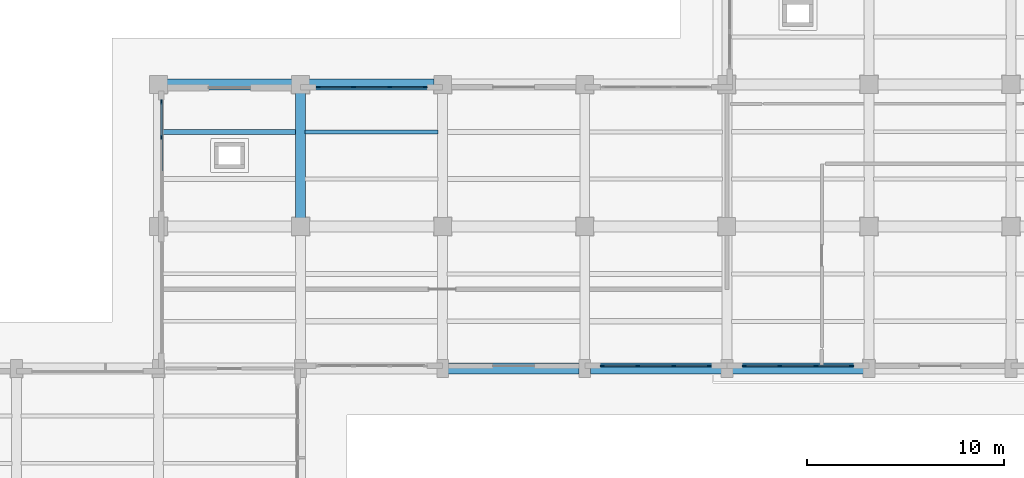
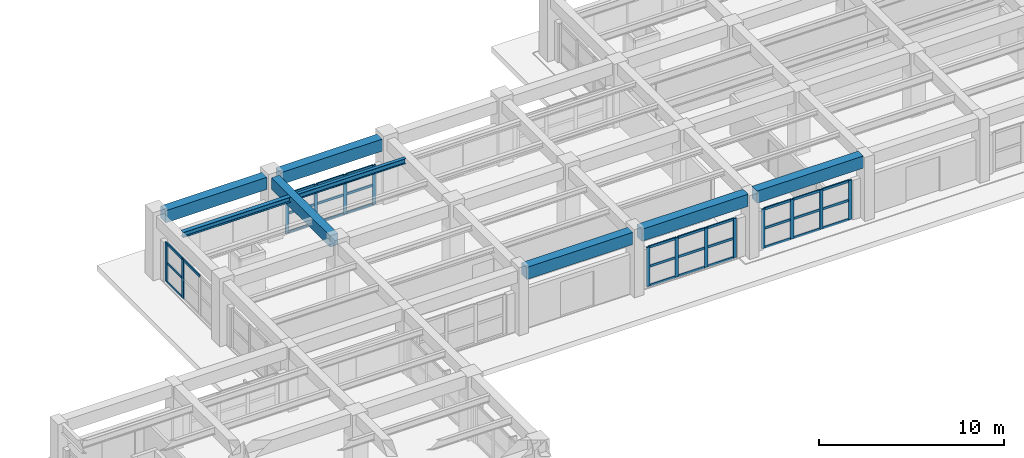
# One storey, part 21 of 64: 45 members, 8 beams, 4 elements without a shape of their own.
"""IFC4 building model written with IfcOpenShell, lengths in metres."""

from ifc_helpers import new_model, si_unit, direction, frame, origin, origin_2d, place, context, subcontext, project, spatial, rectangle, i_section, extrude, material, layer, layer_set, material_profile, profile_set, type_object, element, aggregate, save


model = new_model("IFC4")

# Units and contexts
model_context = context("Model", 3, precision=1e-05, world=origin(), true_north=direction((0.0, 1.0)))
body_context = subcontext(model_context, "Body", "Model", "MODEL_VIEW")
ifc_project = project(units=[si_unit("LENGTHUNIT", "METRE"), si_unit("AREAUNIT", "SQUARE_METRE"), si_unit("VOLUMEUNIT", "CUBIC_METRE"), si_unit("PLANEANGLEUNIT", "RADIAN"), si_unit("MASSUNIT", "GRAM", prefix="KILO")], contexts=[model_context])

# Site, building, storey
site_placement = place(None, origin())
site = spatial("IfcSite", under=ifc_project, at=site_placement, CompositionType="ELEMENT")
building_placement = place(site_placement, origin())
building = spatial("IfcBuilding", under=site, at=building_placement, Name="Solenvale Faculty of Natural Sciences", CompositionType="ELEMENT")
storey_placement = place(building_placement, origin())
storey = spatial("IfcBuildingStorey", under=building, at=storey_placement, Name="L00", CompositionType="ELEMENT", Elevation=0.0)

# Beams
ifc_material_1 = material(Name="Concrete 40 MPa", Category="concrete")
ifc_material_profile_1 = material_profile(ifc_material_1, rectangle(XDim=0.5, YDim=0.75, at=origin_2d()), Name="RC-BM-500x750")
ifc_profile_set_1 = profile_set([ifc_material_profile_1], Name="Concrete 40 MPa")
beam_type_1 = type_object("IfcBeamType", Name="BM-RC-500x750", PredefinedType="BEAM", material=ifc_profile_set_1)
beam_1_placement = place(storey_placement, frame((57.60009765625, 101.22998046875, 3.844970703125), z_axis=(0.0, 1.0, 0.0), x_axis=(-1.0, 0.0, 0.0)))
element("IfcBeam", 1, at=beam_1_placement, inside=storey, type_object=beam_type_1, Name="L00 Y-Girder X57.6 (100.8..108.0)", PredefinedType="BEAM", context=body_context, shape_type="SweptSolid", body=[
    extrude(rectangle(XDim=0.5, YDim=0.75, at=origin_2d()), origin(), (0.0, 0.0, 1.0), 6.340087890625),
])
ifc_material_profile_2 = material_profile(ifc_material_1, rectangle(XDim=0.550048828125, YDim=0.800048828125, at=origin_2d()), Name="RC-BM-550x800")
ifc_profile_set_2 = profile_set([ifc_material_profile_2], Name="Concrete 40 MPa")
beam_type_2 = type_object("IfcBeamType", Name="BM-RC-550x800", PredefinedType="BEAM", material=ifc_profile_set_2)
for number, where, z_axis, x_axis, name in (
    (2, (65.080078125, 93.60009765625, 3.820068359375), (1.0, 0.0, 0.0), (0.0, 1.0, 0.0), "L00 X-Girder Y93.6 (64.8..72.0)"),
    (3, (72.280029296875, 93.60009765625, 3.820068359375), (1.0, 0.0, 0.0), (0.0, 1.0, 0.0), "L00 X-Girder Y93.6 (72.0..79.2)"),
):
    element("IfcBeam", number, at=place(storey_placement, frame(where, z_axis=z_axis, x_axis=x_axis)), inside=storey, type_object=beam_type_2, Name=name, PredefinedType="BEAM", context=body_context, shape_type="SweptSolid", body=[
        extrude(rectangle(XDim=0.550048828125, YDim=0.800048828125, at=origin_2d()), origin(), (0.0, 0.0, 1.0), 6.639892578125),
    ])
beam_2_placement = place(storey_placement, frame((79.47998046875, 93.60009765625, 3.820068359375), z_axis=(1.0, 0.0, 0.0), x_axis=(0.0, 1.0, 0.0)))
element("IfcBeam", 4, at=beam_2_placement, inside=storey, type_object=beam_type_2, Name="L00 X-Girder Y93.6 (79.2..86.4)", PredefinedType="BEAM", context=body_context, shape_type="SweptSolid", body=[
    extrude(rectangle(XDim=0.550048828125, YDim=0.800048828125, at=origin_2d()), origin(), (0.0, 0.0, 1.0), 6.64013671875),
])
beam_3_placement = place(storey_placement, frame((50.830078125, 108.0, 3.820068359375), z_axis=(1.0, 0.0, 0.0), x_axis=(0.0, 1.0, 0.0)))
element("IfcBeam", 5, at=beam_3_placement, inside=storey, type_object=beam_type_2, Name="L00 X-Girder Y108.0 (50.4..57.6)", PredefinedType="BEAM", context=body_context, shape_type="SweptSolid", body=[
    extrude(rectangle(XDim=0.550048828125, YDim=0.800048828125, at=origin_2d()), origin(), (0.0, 0.0, 1.0), 6.33984375),
])
beam_4_placement = place(storey_placement, frame((58.030029296875, 108.0, 3.820068359375), z_axis=(1.0, 0.0, 0.0), x_axis=(0.0, 1.0, 0.0)))
element("IfcBeam", 6, at=beam_4_placement, inside=storey, type_object=beam_type_2, Name="L00 X-Girder Y108.0 (57.6..64.8)", PredefinedType="BEAM", context=body_context, shape_type="SweptSolid", body=[
    extrude(rectangle(XDim=0.550048828125, YDim=0.800048828125, at=origin_2d()), origin(), (0.0, 0.0, 1.0), 6.340087890625),
])
ifc_material_2 = material(Name="Steel S355", Category="steel")
ifc_material_profile_3 = material_profile(ifc_material_2, i_section(OverallWidth=0.2548828125, OverallDepth=0.35693359375, WebThickness=0.010498046875, FlangeThickness=0.018310546875, FilletRadius=0.014892578125, at=origin_2d()), Name="W360x101")
ifc_profile_set_3 = profile_set([ifc_material_profile_3], Name="Steel S355")
beam_type_3 = type_object("IfcBeamType", Name="BM-STL-W360x101", PredefinedType="JOIST", material=ifc_profile_set_3)
beam_5_placement = place(storey_placement, frame((50.6298828125, 105.60009765625, 4.04150390625), z_axis=(1.0, 0.0, 0.0), x_axis=(0.0, 1.0, 0.0)))
element("IfcBeam", 7, at=beam_5_placement, inside=storey, type_object=beam_type_3, Name="L00 Composite Floor Joist (8,15).2", PredefinedType="JOIST", context=body_context, shape_type="SweptSolid", body=[
    extrude(i_section(OverallWidth=0.2548828125, OverallDepth=0.35693359375, WebThickness=0.010498046875, FlangeThickness=0.018310546875, FilletRadius=0.014892578125, at=origin_2d()), origin(), (0.0, 0.0, 1.0), 6.740234375),
])
ifc_material_profile_4 = material_profile(ifc_material_2, i_section(OverallWidth=0.2041015625, OverallDepth=0.35009765625, WebThickness=0.008544921875, FlangeThickness=0.01513671875, FilletRadius=0.014892578125, at=origin_2d()), Name="W360x72")
ifc_profile_set_4 = profile_set([ifc_material_profile_4], Name="Steel S355")
beam_type_4 = type_object("IfcBeamType", Name="BM-STL-W360x72", PredefinedType="JOIST", material=ifc_profile_set_4)
beam_6_placement = place(storey_placement, frame((57.830078125, 105.60009765625, 4.044921875), z_axis=(1.0, 0.0, 0.0), x_axis=(0.0, 1.0, 0.0)))
element("IfcBeam", 8, at=beam_6_placement, inside=storey, type_object=beam_type_4, Name="L00 Composite Floor Joist (9,15).2", PredefinedType="JOIST", context=body_context, shape_type="SweptSolid", body=[
    extrude(i_section(OverallWidth=0.2041015625, OverallDepth=0.35009765625, WebThickness=0.008544921875, FlangeThickness=0.01513671875, FilletRadius=0.014892578125, at=origin_2d()), origin(), (0.0, 0.0, 1.0), 6.739990234375),
])

# Curtain wall, members
ifc_material_3 = material(Name="Anodised bronze aluminium", Category="aluminium")
ifc_layer = layer(ifc_material_3, 0.179931640625)
ifc_layer_set = layer_set([ifc_layer], Name="Anodised bronze aluminium")
curtain_wall_type = type_object("IfcCurtainWallType", Name="CW-TWR-MOD", PredefinedType="USERDEFINED", material=ifc_layer_set)
curtain_wall_1_placement = place(storey_placement, origin())
curtain_wall_1 = element("IfcCurtainWall", 9, at=curtain_wall_1_placement, inside=storey, type_object=curtain_wall_type, Name="L00 Curtain Wall CW-L00-P1-E11-B3", ObjectType="UNITISED CURTAIN WALL", PredefinedType="USERDEFINED")
ifc_material_profile_5 = material_profile(ifc_material_3, rectangle(XDim=0.074951171875, YDim=0.2099609375, at=origin_2d()), Name="ALU-MUL-75x210")
ifc_profile_set_5 = profile_set([ifc_material_profile_5], Name="Anodised bronze aluminium")
member_type_1 = type_object("IfcMemberType", Name="CWM-ALU-75x210", PredefinedType="MULLION", material=ifc_profile_set_5)
member_1_placement = place(storey_placement, frame((72.887451171875, 93.742431640625, 0.0), z_axis=(0.0, 0.0, 1.0), x_axis=(0.0, 1.0, 0.0)))
member_1 = element("IfcMember", 10, at=member_1_placement, type_object=member_type_1, Name="CW-04 mullion 1", PredefinedType="MULLION", context=body_context, shape_type="SweptSolid", body=[
    extrude(rectangle(XDim=0.074951171875, YDim=0.2099609375, at=origin_2d()), origin(), (0.0, 0.0, 1.0), 2.60009765625),
])
member_2_placement = place(storey_placement, frame((74.683349609375, 93.742431640625, 0.0), z_axis=(0.0, 0.0, 1.0), x_axis=(0.0, 1.0, 0.0)))
member_2 = element("IfcMember", 11, at=member_2_placement, type_object=member_type_1, Name="CW-04 mullion 2", PredefinedType="MULLION", context=body_context, shape_type="SweptSolid", body=[
    extrude(rectangle(XDim=0.074951171875, YDim=0.2099609375, at=origin_2d()), origin(), (0.0, 0.0, 1.0), 2.60009765625),
])
member_3_placement = place(storey_placement, frame((76.5166015625, 93.742431640625, 0.0), z_axis=(0.0, 0.0, 1.0), x_axis=(0.0, 1.0, 0.0)))
member_3 = element("IfcMember", 12, at=member_3_placement, type_object=member_type_1, Name="CW-04 mullion 3", PredefinedType="MULLION", context=body_context, shape_type="SweptSolid", body=[
    extrude(rectangle(XDim=0.074951171875, YDim=0.2099609375, at=origin_2d()), origin(), (0.0, 0.0, 1.0), 2.60009765625),
])
member_4_placement = place(storey_placement, frame((78.3125, 93.742431640625, 0.0), z_axis=(0.0, 0.0, 1.0), x_axis=(0.0, 1.0, 0.0)))
member_4 = element("IfcMember", 13, at=member_4_placement, type_object=member_type_1, Name="CW-04 mullion 4", PredefinedType="MULLION", context=body_context, shape_type="SweptSolid", body=[
    extrude(rectangle(XDim=0.074951171875, YDim=0.2099609375, at=origin_2d()), origin(), (0.0, 0.0, 1.0), 2.60009765625),
])

curtain_wall_2_placement = place(storey_placement, origin())
curtain_wall_2 = element("IfcCurtainWall", 14, at=curtain_wall_2_placement, inside=storey, type_object=curtain_wall_type, Name="L00 Curtain Wall CW-L00-P1-E12-B1", ObjectType="UNITISED CURTAIN WALL", PredefinedType="USERDEFINED")
member_5_placement = place(storey_placement, frame((80.08740234375, 93.742431640625, 0.0), z_axis=(0.0, 0.0, 1.0), x_axis=(0.0, 1.0, 0.0)))
member_5 = element("IfcMember", 15, at=member_5_placement, type_object=member_type_1, Name="CW-04 mullion 1", PredefinedType="MULLION", context=body_context, shape_type="SweptSolid", body=[
    extrude(rectangle(XDim=0.074951171875, YDim=0.2099609375, at=origin_2d()), origin(), (0.0, 0.0, 1.0), 2.60009765625),
])
member_6_placement = place(storey_placement, frame((81.88330078125, 93.742431640625, 0.0), z_axis=(0.0, 0.0, 1.0), x_axis=(0.0, 1.0, 0.0)))
member_6 = element("IfcMember", 16, at=member_6_placement, type_object=member_type_1, Name="CW-04 mullion 2", PredefinedType="MULLION", context=body_context, shape_type="SweptSolid", body=[
    extrude(rectangle(XDim=0.074951171875, YDim=0.2099609375, at=origin_2d()), origin(), (0.0, 0.0, 1.0), 2.60009765625),
])
member_7_placement = place(storey_placement, frame((83.716552734375, 93.742431640625, 0.0), z_axis=(0.0, 0.0, 1.0), x_axis=(0.0, 1.0, 0.0)))
member_7 = element("IfcMember", 17, at=member_7_placement, type_object=member_type_1, Name="CW-04 mullion 3", PredefinedType="MULLION", context=body_context, shape_type="SweptSolid", body=[
    extrude(rectangle(XDim=0.074951171875, YDim=0.2099609375, at=origin_2d()), origin(), (0.0, 0.0, 1.0), 2.60009765625),
])
member_8_placement = place(storey_placement, frame((85.512451171875, 93.742431640625, 0.0), z_axis=(0.0, 0.0, 1.0), x_axis=(0.0, 1.0, 0.0)))
member_8 = element("IfcMember", 18, at=member_8_placement, type_object=member_type_1, Name="CW-04 mullion 4", PredefinedType="MULLION", context=body_context, shape_type="SweptSolid", body=[
    extrude(rectangle(XDim=0.074951171875, YDim=0.2099609375, at=origin_2d()), origin(), (0.0, 0.0, 1.0), 2.60009765625),
])

curtain_wall_3_placement = place(storey_placement, origin())
curtain_wall_3 = element("IfcCurtainWall", 19, at=curtain_wall_3_placement, inside=storey, type_object=curtain_wall_type, Name="L00 Curtain Wall CW-L00-P1-E19-B3", ObjectType="UNITISED CURTAIN WALL", PredefinedType="USERDEFINED")
member_9_placement = place(storey_placement, frame((63.91259765625, 107.857421875, 0.0), z_axis=(0.0, 0.0, 1.0), x_axis=(0.0, -1.0, 0.0)))
member_9 = element("IfcMember", 20, at=member_9_placement, type_object=member_type_1, Name="CW-04 mullion 1", PredefinedType="MULLION", context=body_context, shape_type="SweptSolid", body=[
    extrude(rectangle(XDim=0.074951171875, YDim=0.2099609375, at=origin_2d()), origin(), (0.0, 0.0, 1.0), 2.60009765625),
])
member_10_placement = place(storey_placement, frame((62.11669921875, 107.857421875, 0.0), z_axis=(0.0, 0.0, 1.0), x_axis=(0.0, -1.0, 0.0)))
member_10 = element("IfcMember", 21, at=member_10_placement, type_object=member_type_1, Name="CW-04 mullion 2", PredefinedType="MULLION", context=body_context, shape_type="SweptSolid", body=[
    extrude(rectangle(XDim=0.074951171875, YDim=0.2099609375, at=origin_2d()), origin(), (0.0, 0.0, 1.0), 2.60009765625),
])
member_11_placement = place(storey_placement, frame((60.283447265625, 107.857421875, 0.0), z_axis=(0.0, 0.0, 1.0), x_axis=(0.0, -1.0, 0.0)))
member_11 = element("IfcMember", 22, at=member_11_placement, type_object=member_type_1, Name="CW-04 mullion 3", PredefinedType="MULLION", context=body_context, shape_type="SweptSolid", body=[
    extrude(rectangle(XDim=0.074951171875, YDim=0.2099609375, at=origin_2d()), origin(), (0.0, 0.0, 1.0), 2.60009765625),
])
member_12_placement = place(storey_placement, frame((58.487548828125, 107.857421875, 0.0), z_axis=(0.0, 0.0, 1.0), x_axis=(0.0, -1.0, 0.0)))
member_12 = element("IfcMember", 23, at=member_12_placement, type_object=member_type_1, Name="CW-04 mullion 4", PredefinedType="MULLION", context=body_context, shape_type="SweptSolid", body=[
    extrude(rectangle(XDim=0.074951171875, YDim=0.2099609375, at=origin_2d()), origin(), (0.0, 0.0, 1.0), 2.60009765625),
])

curtain_wall_4_placement = place(storey_placement, origin())
curtain_wall_4 = element("IfcCurtainWall", 24, at=curtain_wall_4_placement, inside=storey, type_object=curtain_wall_type, Name="L00 Curtain Wall CW-L00-P1-E20-B1", ObjectType="UNITISED CURTAIN WALL", PredefinedType="USERDEFINED")
member_13_placement = place(storey_placement, frame((50.54248046875, 107.112548828125, 0.0), z_axis=(0.0, 0.0, 1.0), x_axis=(1.0, 0.0, 0.0)))
member_13 = element("IfcMember", 25, at=member_13_placement, type_object=member_type_1, Name="CW-04 mullion 1", PredefinedType="MULLION", context=body_context, shape_type="SweptSolid", body=[
    extrude(rectangle(XDim=0.074951171875, YDim=0.2099609375, at=origin_2d()), origin(), (0.0, 0.0, 1.0), 2.60009765625),
])
member_14_placement = place(storey_placement, frame((50.54248046875, 105.316650390625, 0.0), z_axis=(0.0, 0.0, 1.0), x_axis=(1.0, 0.0, 0.0)))
member_14 = element("IfcMember", 26, at=member_14_placement, type_object=member_type_1, Name="CW-04 mullion 2", PredefinedType="MULLION", context=body_context, shape_type="SweptSolid", body=[
    extrude(rectangle(XDim=0.074951171875, YDim=0.2099609375, at=origin_2d()), origin(), (0.0, 0.0, 1.0), 2.60009765625),
])

# Member
ifc_material_profile_6 = material_profile(ifc_material_3, rectangle(XDim=0.074951171875, YDim=0.155029296875, at=origin_2d()), Name="ALU-TRN-75x155")
ifc_profile_set_6 = profile_set([ifc_material_profile_6], Name="Anodised bronze aluminium")
member_type_2 = type_object("IfcMemberType", Name="CWT-ALU-75x155", PredefinedType="USERDEFINED", material=ifc_profile_set_6)
member_15_placement = place(storey_placement, frame((72.925048828125, 93.742431640625, 0.03759765625), z_axis=(1.0, 0.0, 0.0), x_axis=(0.0, 1.0, 0.0)))
member_15 = element("IfcMember", 27, at=member_15_placement, type_object=member_type_2, Name="CW-04 transom 1.1", ObjectType="TRANSOM", PredefinedType="USERDEFINED", context=body_context, shape_type="SweptSolid", body=[
    extrude(rectangle(XDim=0.074951171875, YDim=0.155029296875, at=origin_2d()), origin(), (0.0, 0.0, 1.0), 1.720703125),
])

member_16_placement = place(storey_placement, frame((72.925048828125, 93.742431640625, 1.300048828125), z_axis=(1.0, 0.0, 0.0), x_axis=(0.0, 1.0, 0.0)))
member_16 = element("IfcMember", 28, at=member_16_placement, type_object=member_type_2, Name="CW-04 transom 1.2", ObjectType="TRANSOM", PredefinedType="USERDEFINED", context=body_context, shape_type="SweptSolid", body=[
    extrude(rectangle(XDim=0.074951171875, YDim=0.155029296875, at=origin_2d()), origin(), (0.0, 0.0, 1.0), 1.720703125),
])

member_17_placement = place(storey_placement, frame((72.925048828125, 93.742431640625, 2.5625), z_axis=(1.0, 0.0, 0.0), x_axis=(0.0, 1.0, 0.0)))
member_17 = element("IfcMember", 29, at=member_17_placement, type_object=member_type_2, Name="CW-04 transom 1.3", ObjectType="TRANSOM", PredefinedType="USERDEFINED", context=body_context, shape_type="SweptSolid", body=[
    extrude(rectangle(XDim=0.074951171875, YDim=0.155029296875, at=origin_2d()), origin(), (0.0, 0.0, 1.0), 1.720703125),
])

member_18_placement = place(storey_placement, frame((74.720947265625, 93.742431640625, 0.03759765625), z_axis=(1.0, 0.0, 0.0), x_axis=(0.0, 1.0, 0.0)))
member_18 = element("IfcMember", 30, at=member_18_placement, type_object=member_type_2, Name="CW-04 transom 2.1", ObjectType="TRANSOM", PredefinedType="USERDEFINED", context=body_context, shape_type="SweptSolid", body=[
    extrude(rectangle(XDim=0.074951171875, YDim=0.155029296875, at=origin_2d()), origin(), (0.0, 0.0, 1.0), 1.75830078125),
])

member_19_placement = place(storey_placement, frame((74.720947265625, 93.742431640625, 1.300048828125), z_axis=(1.0, 0.0, 0.0), x_axis=(0.0, 1.0, 0.0)))
member_19 = element("IfcMember", 31, at=member_19_placement, type_object=member_type_2, Name="CW-04 transom 2.2", ObjectType="TRANSOM", PredefinedType="USERDEFINED", context=body_context, shape_type="SweptSolid", body=[
    extrude(rectangle(XDim=0.074951171875, YDim=0.155029296875, at=origin_2d()), origin(), (0.0, 0.0, 1.0), 1.75830078125),
])

member_20_placement = place(storey_placement, frame((74.720947265625, 93.742431640625, 2.5625), z_axis=(1.0, 0.0, 0.0), x_axis=(0.0, 1.0, 0.0)))
member_20 = element("IfcMember", 32, at=member_20_placement, type_object=member_type_2, Name="CW-04 transom 2.3", ObjectType="TRANSOM", PredefinedType="USERDEFINED", context=body_context, shape_type="SweptSolid", body=[
    extrude(rectangle(XDim=0.074951171875, YDim=0.155029296875, at=origin_2d()), origin(), (0.0, 0.0, 1.0), 1.75830078125),
])

member_21_placement = place(storey_placement, frame((76.55419921875, 93.742431640625, 0.03759765625), z_axis=(1.0, 0.0, 0.0), x_axis=(0.0, 1.0, 0.0)))
member_21 = element("IfcMember", 33, at=member_21_placement, type_object=member_type_2, Name="CW-04 transom 3.1", ObjectType="TRANSOM", PredefinedType="USERDEFINED", context=body_context, shape_type="SweptSolid", body=[
    extrude(rectangle(XDim=0.074951171875, YDim=0.155029296875, at=origin_2d()), origin(), (0.0, 0.0, 1.0), 1.720703125),
])

member_22_placement = place(storey_placement, frame((76.55419921875, 93.742431640625, 1.300048828125), z_axis=(1.0, 0.0, 0.0), x_axis=(0.0, 1.0, 0.0)))
member_22 = element("IfcMember", 34, at=member_22_placement, type_object=member_type_2, Name="CW-04 transom 3.2", ObjectType="TRANSOM", PredefinedType="USERDEFINED", context=body_context, shape_type="SweptSolid", body=[
    extrude(rectangle(XDim=0.074951171875, YDim=0.155029296875, at=origin_2d()), origin(), (0.0, 0.0, 1.0), 1.720703125),
])

member_23_placement = place(storey_placement, frame((76.55419921875, 93.742431640625, 2.5625), z_axis=(1.0, 0.0, 0.0), x_axis=(0.0, 1.0, 0.0)))
member_23 = element("IfcMember", 35, at=member_23_placement, type_object=member_type_2, Name="CW-04 transom 3.3", ObjectType="TRANSOM", PredefinedType="USERDEFINED", context=body_context, shape_type="SweptSolid", body=[
    extrude(rectangle(XDim=0.074951171875, YDim=0.155029296875, at=origin_2d()), origin(), (0.0, 0.0, 1.0), 1.720703125),
])

aggregate(curtain_wall_1, [member_1, member_2, member_3, member_4, member_15, member_16, member_17, member_18, member_19, member_20, member_21, member_22, member_23])

member_24_placement = place(storey_placement, frame((80.125, 93.742431640625, 0.03759765625), z_axis=(1.0, 0.0, 0.0), x_axis=(0.0, 1.0, 0.0)))
member_24 = element("IfcMember", 36, at=member_24_placement, type_object=member_type_2, Name="CW-04 transom 1.1", ObjectType="TRANSOM", PredefinedType="USERDEFINED", context=body_context, shape_type="SweptSolid", body=[
    extrude(rectangle(XDim=0.074951171875, YDim=0.155029296875, at=origin_2d()), origin(), (0.0, 0.0, 1.0), 1.720947265625),
])

member_25_placement = place(storey_placement, frame((80.125, 93.742431640625, 1.300048828125), z_axis=(1.0, 0.0, 0.0), x_axis=(0.0, 1.0, 0.0)))
member_25 = element("IfcMember", 37, at=member_25_placement, type_object=member_type_2, Name="CW-04 transom 1.2", ObjectType="TRANSOM", PredefinedType="USERDEFINED", context=body_context, shape_type="SweptSolid", body=[
    extrude(rectangle(XDim=0.074951171875, YDim=0.155029296875, at=origin_2d()), origin(), (0.0, 0.0, 1.0), 1.720947265625),
])

member_26_placement = place(storey_placement, frame((80.125, 93.742431640625, 2.5625), z_axis=(1.0, 0.0, 0.0), x_axis=(0.0, 1.0, 0.0)))
member_26 = element("IfcMember", 38, at=member_26_placement, type_object=member_type_2, Name="CW-04 transom 1.3", ObjectType="TRANSOM", PredefinedType="USERDEFINED", context=body_context, shape_type="SweptSolid", body=[
    extrude(rectangle(XDim=0.074951171875, YDim=0.155029296875, at=origin_2d()), origin(), (0.0, 0.0, 1.0), 1.720947265625),
])

member_27_placement = place(storey_placement, frame((81.9208984375, 93.742431640625, 0.03759765625), z_axis=(1.0, 0.0, 0.0), x_axis=(0.0, 1.0, 0.0)))
member_27 = element("IfcMember", 39, at=member_27_placement, type_object=member_type_2, Name="CW-04 transom 2.1", ObjectType="TRANSOM", PredefinedType="USERDEFINED", context=body_context, shape_type="SweptSolid", body=[
    extrude(rectangle(XDim=0.074951171875, YDim=0.155029296875, at=origin_2d()), origin(), (0.0, 0.0, 1.0), 1.75830078125),
])

member_28_placement = place(storey_placement, frame((81.9208984375, 93.742431640625, 1.300048828125), z_axis=(1.0, 0.0, 0.0), x_axis=(0.0, 1.0, 0.0)))
member_28 = element("IfcMember", 40, at=member_28_placement, type_object=member_type_2, Name="CW-04 transom 2.2", ObjectType="TRANSOM", PredefinedType="USERDEFINED", context=body_context, shape_type="SweptSolid", body=[
    extrude(rectangle(XDim=0.074951171875, YDim=0.155029296875, at=origin_2d()), origin(), (0.0, 0.0, 1.0), 1.75830078125),
])

member_29_placement = place(storey_placement, frame((81.9208984375, 93.742431640625, 2.5625), z_axis=(1.0, 0.0, 0.0), x_axis=(0.0, 1.0, 0.0)))
member_29 = element("IfcMember", 41, at=member_29_placement, type_object=member_type_2, Name="CW-04 transom 2.3", ObjectType="TRANSOM", PredefinedType="USERDEFINED", context=body_context, shape_type="SweptSolid", body=[
    extrude(rectangle(XDim=0.074951171875, YDim=0.155029296875, at=origin_2d()), origin(), (0.0, 0.0, 1.0), 1.75830078125),
])

member_30_placement = place(storey_placement, frame((83.754150390625, 93.742431640625, 0.03759765625), z_axis=(1.0, 0.0, 0.0), x_axis=(0.0, 1.0, 0.0)))
member_30 = element("IfcMember", 42, at=member_30_placement, type_object=member_type_2, Name="CW-04 transom 3.1", ObjectType="TRANSOM", PredefinedType="USERDEFINED", context=body_context, shape_type="SweptSolid", body=[
    extrude(rectangle(XDim=0.074951171875, YDim=0.155029296875, at=origin_2d()), origin(), (0.0, 0.0, 1.0), 1.720947265625),
])

member_31_placement = place(storey_placement, frame((83.754150390625, 93.742431640625, 1.300048828125), z_axis=(1.0, 0.0, 0.0), x_axis=(0.0, 1.0, 0.0)))
member_31 = element("IfcMember", 43, at=member_31_placement, type_object=member_type_2, Name="CW-04 transom 3.2", ObjectType="TRANSOM", PredefinedType="USERDEFINED", context=body_context, shape_type="SweptSolid", body=[
    extrude(rectangle(XDim=0.074951171875, YDim=0.155029296875, at=origin_2d()), origin(), (0.0, 0.0, 1.0), 1.720947265625),
])

member_32_placement = place(storey_placement, frame((83.754150390625, 93.742431640625, 2.5625), z_axis=(1.0, 0.0, 0.0), x_axis=(0.0, 1.0, 0.0)))
member_32 = element("IfcMember", 44, at=member_32_placement, type_object=member_type_2, Name="CW-04 transom 3.3", ObjectType="TRANSOM", PredefinedType="USERDEFINED", context=body_context, shape_type="SweptSolid", body=[
    extrude(rectangle(XDim=0.074951171875, YDim=0.155029296875, at=origin_2d()), origin(), (0.0, 0.0, 1.0), 1.720947265625),
])

aggregate(curtain_wall_2, [member_5, member_6, member_7, member_8, member_24, member_25, member_26, member_27, member_28, member_29, member_30, member_31, member_32])

member_33_placement = place(storey_placement, frame((63.875, 107.857421875, 0.03759765625), z_axis=(-1.0, 0.0, 0.0), x_axis=(0.0, -1.0, 0.0)))
member_33 = element("IfcMember", 45, at=member_33_placement, type_object=member_type_2, Name="CW-04 transom 1.1", ObjectType="TRANSOM", PredefinedType="USERDEFINED", context=body_context, shape_type="SweptSolid", body=[
    extrude(rectangle(XDim=0.074951171875, YDim=0.155029296875, at=origin_2d()), origin(), (0.0, 0.0, 1.0), 1.720947265625),
])

member_34_placement = place(storey_placement, frame((63.875, 107.857421875, 1.300048828125), z_axis=(-1.0, 0.0, 0.0), x_axis=(0.0, -1.0, 0.0)))
member_34 = element("IfcMember", 46, at=member_34_placement, type_object=member_type_2, Name="CW-04 transom 1.2", ObjectType="TRANSOM", PredefinedType="USERDEFINED", context=body_context, shape_type="SweptSolid", body=[
    extrude(rectangle(XDim=0.074951171875, YDim=0.155029296875, at=origin_2d()), origin(), (0.0, 0.0, 1.0), 1.720947265625),
])

member_35_placement = place(storey_placement, frame((63.875, 107.857421875, 2.5625), z_axis=(-1.0, 0.0, 0.0), x_axis=(0.0, -1.0, 0.0)))
member_35 = element("IfcMember", 47, at=member_35_placement, type_object=member_type_2, Name="CW-04 transom 1.3", ObjectType="TRANSOM", PredefinedType="USERDEFINED", context=body_context, shape_type="SweptSolid", body=[
    extrude(rectangle(XDim=0.074951171875, YDim=0.155029296875, at=origin_2d()), origin(), (0.0, 0.0, 1.0), 1.720947265625),
])

member_36_placement = place(storey_placement, frame((62.0791015625, 107.857421875, 0.03759765625), z_axis=(-1.0, 0.0, 0.0), x_axis=(0.0, -1.0, 0.0)))
member_36 = element("IfcMember", 48, at=member_36_placement, type_object=member_type_2, Name="CW-04 transom 2.1", ObjectType="TRANSOM", PredefinedType="USERDEFINED", context=body_context, shape_type="SweptSolid", body=[
    extrude(rectangle(XDim=0.074951171875, YDim=0.155029296875, at=origin_2d()), origin(), (0.0, 0.0, 1.0), 1.75830078125),
])

member_37_placement = place(storey_placement, frame((62.0791015625, 107.857421875, 1.300048828125), z_axis=(-1.0, 0.0, 0.0), x_axis=(0.0, -1.0, 0.0)))
member_37 = element("IfcMember", 49, at=member_37_placement, type_object=member_type_2, Name="CW-04 transom 2.2", ObjectType="TRANSOM", PredefinedType="USERDEFINED", context=body_context, shape_type="SweptSolid", body=[
    extrude(rectangle(XDim=0.074951171875, YDim=0.155029296875, at=origin_2d()), origin(), (0.0, 0.0, 1.0), 1.75830078125),
])

member_38_placement = place(storey_placement, frame((62.0791015625, 107.857421875, 2.5625), z_axis=(-1.0, 0.0, 0.0), x_axis=(0.0, -1.0, 0.0)))
member_38 = element("IfcMember", 50, at=member_38_placement, type_object=member_type_2, Name="CW-04 transom 2.3", ObjectType="TRANSOM", PredefinedType="USERDEFINED", context=body_context, shape_type="SweptSolid", body=[
    extrude(rectangle(XDim=0.074951171875, YDim=0.155029296875, at=origin_2d()), origin(), (0.0, 0.0, 1.0), 1.75830078125),
])

member_39_placement = place(storey_placement, frame((60.245849609375, 107.857421875, 0.03759765625), z_axis=(-1.0, 0.0, 0.0), x_axis=(0.0, -1.0, 0.0)))
member_39 = element("IfcMember", 51, at=member_39_placement, type_object=member_type_2, Name="CW-04 transom 3.1", ObjectType="TRANSOM", PredefinedType="USERDEFINED", context=body_context, shape_type="SweptSolid", body=[
    extrude(rectangle(XDim=0.074951171875, YDim=0.155029296875, at=origin_2d()), origin(), (0.0, 0.0, 1.0), 1.720947265625),
])

member_40_placement = place(storey_placement, frame((60.245849609375, 107.857421875, 1.300048828125), z_axis=(-1.0, 0.0, 0.0), x_axis=(0.0, -1.0, 0.0)))
member_40 = element("IfcMember", 52, at=member_40_placement, type_object=member_type_2, Name="CW-04 transom 3.2", ObjectType="TRANSOM", PredefinedType="USERDEFINED", context=body_context, shape_type="SweptSolid", body=[
    extrude(rectangle(XDim=0.074951171875, YDim=0.155029296875, at=origin_2d()), origin(), (0.0, 0.0, 1.0), 1.720947265625),
])

member_41_placement = place(storey_placement, frame((60.245849609375, 107.857421875, 2.5625), z_axis=(-1.0, 0.0, 0.0), x_axis=(0.0, -1.0, 0.0)))
member_41 = element("IfcMember", 53, at=member_41_placement, type_object=member_type_2, Name="CW-04 transom 3.3", ObjectType="TRANSOM", PredefinedType="USERDEFINED", context=body_context, shape_type="SweptSolid", body=[
    extrude(rectangle(XDim=0.074951171875, YDim=0.155029296875, at=origin_2d()), origin(), (0.0, 0.0, 1.0), 1.720947265625),
])

aggregate(curtain_wall_3, [member_9, member_10, member_11, member_12, member_33, member_34, member_35, member_36, member_37, member_38, member_39, member_40, member_41])

member_42_placement = place(storey_placement, frame((50.54248046875, 107.074951171875, 0.03759765625), z_axis=(0.0, -1.0, 0.0), x_axis=(1.0, 0.0, 0.0)))
member_42 = element("IfcMember", 54, at=member_42_placement, type_object=member_type_2, Name="CW-04 transom 1.1", ObjectType="TRANSOM", PredefinedType="USERDEFINED", context=body_context, shape_type="SweptSolid", body=[
    extrude(rectangle(XDim=0.074951171875, YDim=0.155029296875, at=origin_2d()), origin(), (0.0, 0.0, 1.0), 1.720703125),
])

member_43_placement = place(storey_placement, frame((50.54248046875, 107.074951171875, 1.300048828125), z_axis=(0.0, -1.0, 0.0), x_axis=(1.0, 0.0, 0.0)))
member_43 = element("IfcMember", 55, at=member_43_placement, type_object=member_type_2, Name="CW-04 transom 1.2", ObjectType="TRANSOM", PredefinedType="USERDEFINED", context=body_context, shape_type="SweptSolid", body=[
    extrude(rectangle(XDim=0.074951171875, YDim=0.155029296875, at=origin_2d()), origin(), (0.0, 0.0, 1.0), 1.720703125),
])

member_44_placement = place(storey_placement, frame((50.54248046875, 107.074951171875, 2.5625), z_axis=(0.0, -1.0, 0.0), x_axis=(1.0, 0.0, 0.0)))
member_44 = element("IfcMember", 56, at=member_44_placement, type_object=member_type_2, Name="CW-04 transom 1.3", ObjectType="TRANSOM", PredefinedType="USERDEFINED", context=body_context, shape_type="SweptSolid", body=[
    extrude(rectangle(XDim=0.074951171875, YDim=0.155029296875, at=origin_2d()), origin(), (0.0, 0.0, 1.0), 1.720703125),
])

member_45_placement = place(storey_placement, frame((50.54248046875, 105.279052734375, 2.5625), z_axis=(0.0, -1.0, 0.0), x_axis=(1.0, 0.0, 0.0)))
member_45 = element("IfcMember", 57, at=member_45_placement, type_object=member_type_2, Name="CW-04 transom 2.3", ObjectType="TRANSOM", PredefinedType="USERDEFINED", context=body_context, shape_type="SweptSolid", body=[
    extrude(rectangle(XDim=0.074951171875, YDim=0.155029296875, at=origin_2d()), origin(), (0.0, 0.0, 1.0), 1.75830078125),
])

aggregate(curtain_wall_4, [member_13, member_14, member_42, member_43, member_44, member_45])

save(model, "model.ifc")
